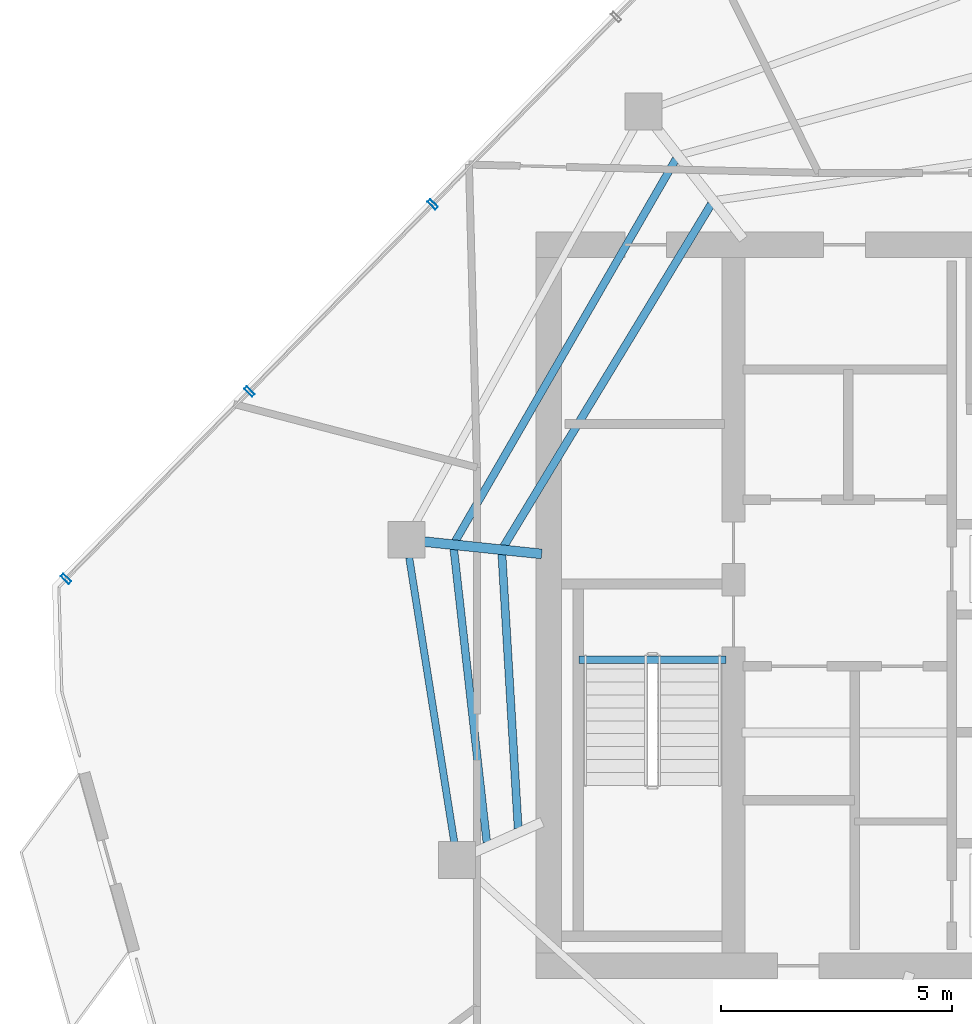
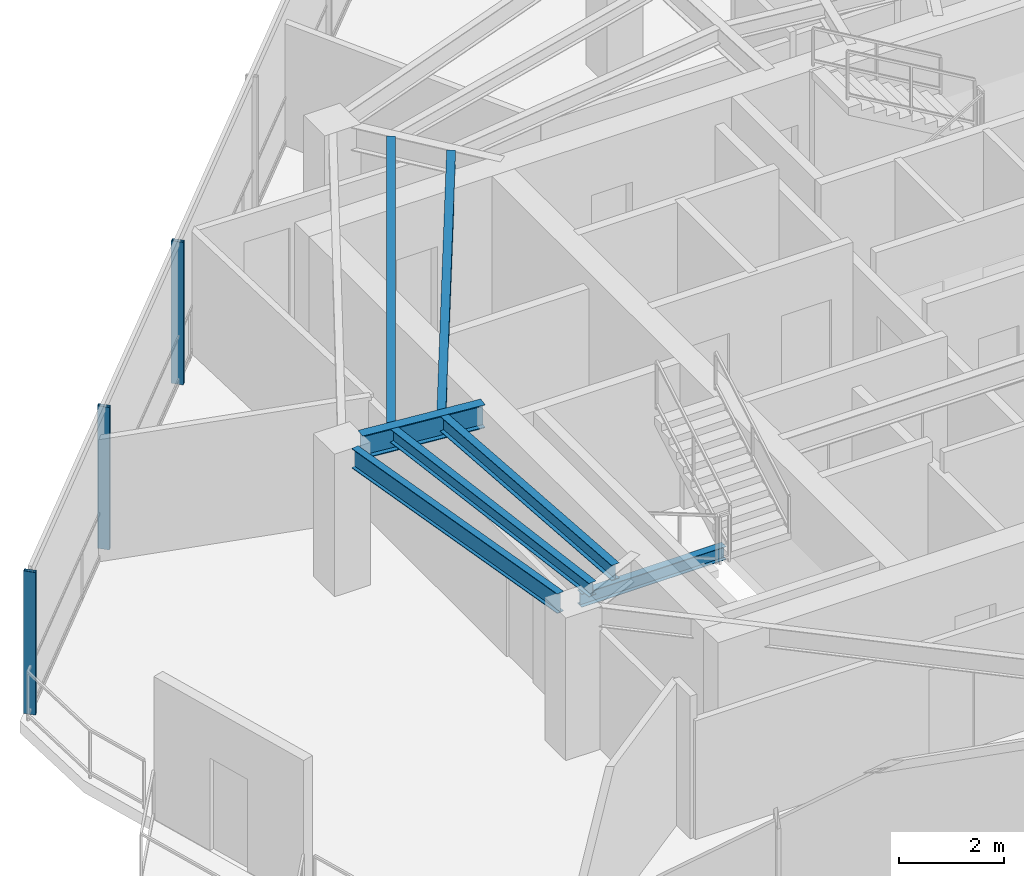
# One storey, part 6 of 18: 7 beams, 3 members, 1 element without a shape of its own.
"""IFC4 building model written with IfcOpenShell, lengths in metres."""

import ifcopenshell
import ifcopenshell.guid

model = None  # the IFC model being written
_history = None  # IfcOwnerHistory: only IFC2X3 demands one
_inside = {}  # id of a spatial element -> (the spatial element, [elements in it])
_under = {}  # id of a project, library or spatial element -> (it, [spatial elements below it])
_declared = {}  # id of a project -> (the project, [libraries it declares])
_typed = {}  # id of a type object -> (the type object, [elements of that type])
_made_of = {}  # id of a material, layer set ... -> (it, [elements and type objects made of it])


def new_model(schema):
    """Start an empty IFC model of exactly this schema.

    Asked for "IFC4X3", IfcOpenShell would pick the latest addendum, in which some entities
    have other attributes; the version numbers below select the first issue.
    IFC2X3 requires an IfcOwnerHistory on every rooted entity: one is made here for all.
    """
    global model, _history
    if schema == "IFC4X3":
        model = ifcopenshell.file(schema_version=(4, 3, 0, 0))
    else:
        model = ifcopenshell.file(schema=schema)
    _inside.clear()
    _under.clear()
    _declared.clear()
    _typed.clear()
    _made_of.clear()
    _history = None
    if model.schema == "IFC2X3":
        org = make("IfcOrganization", Name="unknown")
        user = make(
            "IfcPersonAndOrganization",
            ThePerson=make("IfcPerson", FamilyName="unknown"),
            TheOrganization=org,
        )
        app = make(
            "IfcApplication",
            ApplicationDeveloper=org,
            Version="unknown",
            ApplicationFullName="unknown",
            ApplicationIdentifier="unknown",
        )
        _history = make(
            "IfcOwnerHistory",
            OwningUser=user,
            OwningApplication=app,
            ChangeAction="ADDED",
            CreationDate=0,
        )
    return model


def make(cls, **values):
    """One entity of the class cls with the attributes given. An attribute that is None is left unset."""
    return model.create_entity(
        cls, **{name: value for name, value in values.items() if value is not None}
    )


def rooted(cls, **values):
    """An entity with a GlobalId (a new one), such as an element, a storey or a relation."""
    return make(cls, GlobalId=ifcopenshell.guid.new(), OwnerHistory=_history, **values)


def si_unit(unit_type, name, prefix=None):
    """IfcSIUnit, for example si_unit("LENGTHUNIT", "METRE", prefix="MILLI")."""
    return make("IfcSIUnit", UnitType=unit_type, Prefix=prefix, Name=name)


def assignment(units):
    """IfcUnitAssignment: the units of a project."""
    return None if units is None else make("IfcUnitAssignment", Units=units)


def point(xyz):
    """IfcCartesianPoint."""
    return None if xyz is None else make("IfcCartesianPoint", Coordinates=xyz)


def direction(xyz):
    """IfcDirection."""
    return None if xyz is None else make("IfcDirection", DirectionRatios=xyz)


def frame(location, z_axis=None, x_axis=None):
    """IfcAxis2Placement3D, a coordinate frame: its origin and axes. An axis left out is left unset."""
    return make(
        "IfcAxis2Placement3D",
        Location=point(location),
        Axis=direction(z_axis),
        RefDirection=direction(x_axis),
    )


def frame_2d(location, x_axis=None):
    """IfcAxis2Placement2D, a coordinate frame in the plane: its origin and x axis."""
    return make(
        "IfcAxis2Placement2D", Location=point(location), RefDirection=direction(x_axis)
    )


def origin():
    """The frame at (0, 0, 0) with its axes left unset."""
    return frame((0.0, 0.0, 0.0))


def origin_2d():
    """The frame at (0, 0) in the plane with its x axis left unset."""
    return frame_2d((0.0, 0.0))


def place(relative_to, where):
    """IfcLocalPlacement: puts the frame where relative to a parent placement (None: the world)."""
    return make(
        "IfcLocalPlacement", PlacementRelTo=relative_to, RelativePlacement=where
    )


def context(
    kind, dimensions, precision=None, world=None, true_north=None, identifier=None
):
    """IfcGeometricRepresentationContext, for example the 3D "Model" context."""
    return make(
        "IfcGeometricRepresentationContext",
        ContextIdentifier=identifier,
        ContextType=kind,
        CoordinateSpaceDimension=dimensions,
        Precision=precision,
        WorldCoordinateSystem=world,
        TrueNorth=true_north,
    )


def subcontext(parent, identifier, kind, view, scale=None):
    """IfcGeometricRepresentationSubContext, for example "Body" below "Model"."""
    return make(
        "IfcGeometricRepresentationSubContext",
        ContextIdentifier=identifier,
        ContextType=kind,
        ParentContext=parent,
        TargetScale=scale,
        TargetView=view,
    )


def project(units=None, contexts=None):
    """IfcProject with its units and contexts."""
    return rooted(
        "IfcProject",
        Name="project",
        RepresentationContexts=contexts,
        UnitsInContext=assignment(units),
    )


def spatial(cls, under=None, at=None, **own):
    """A site, building, storey or space (cls), placed at a placement, below another one or the project."""
    s = rooted(cls, ObjectPlacement=at, **own)
    if under is not None:
        _under.setdefault(under.id(), (under, []))[1].append(s)
    return s


def profile(cls, at=None, kind="AREA", **sizes):
    """A parametric profile (cls). Its sizes go by their IFC names, for example OverallWidth=200.0."""
    return make(cls, ProfileType=kind, Position=at, **sizes)


def hollow_rectangle(**sizes):
    """IfcRectangleHollowProfileDef."""
    return profile("IfcRectangleHollowProfileDef", **sizes)


def i_section(**sizes):
    """IfcIShapeProfileDef."""
    return profile("IfcIShapeProfileDef", **sizes)


def extrude(swept, where, along, depth):
    """IfcExtrudedAreaSolid: the profile swept, set in the frame where, extruded along a direction by depth."""
    return make(
        "IfcExtrudedAreaSolid",
        SweptArea=swept,
        Position=where,
        ExtrudedDirection=direction(along),
        Depth=depth,
    )


def shape(context_of_items, identifier, shape_type, items):
    """IfcShapeRepresentation: the items that make up one representation, for example the "Body"."""
    return make(
        "IfcShapeRepresentation",
        ContextOfItems=context_of_items,
        RepresentationIdentifier=identifier,
        RepresentationType=shape_type,
        Items=items,
    )


def material(Name=None, Category=None):
    """IfcMaterial."""
    return make("IfcMaterial", Name=Name, Category=Category)


def layer(
    of_material, thickness, ventilated=None, Name=None, Category=None, Priority=None
):
    """IfcMaterialLayer: one layer of a wall or slab, of a material (None: an air gap)."""
    return make(
        "IfcMaterialLayer",
        Material=of_material,
        LayerThickness=thickness,
        IsVentilated=ventilated,
        Name=Name,
        Category=Category,
        Priority=Priority,
    )


def layer_set(layers, Name=None):
    """IfcMaterialLayerSet."""
    return make("IfcMaterialLayerSet", MaterialLayers=layers, LayerSetName=Name)


def material_profile(
    of_material, cross_section, Name=None, Category=None, Priority=None
):
    """IfcMaterialProfile: a cross section and its material."""
    return make(
        "IfcMaterialProfile",
        Name=Name,
        Material=of_material,
        Profile=cross_section,
        Priority=Priority,
        Category=Category,
    )


def profile_set(profiles, Name=None, composite=None):
    """IfcMaterialProfileSet."""
    return make(
        "IfcMaterialProfileSet",
        Name=Name,
        MaterialProfiles=profiles,
        CompositeProfile=composite,
    )


def made_of(thing, what):
    """Note that an element or type object is made of a material, layer set ...; save() writes the relation."""
    if what is not None:
        _made_of.setdefault(what.id(), (what, []))[1].append(thing)
    return thing


def type_object(cls, material=None, **own):
    """A type object (cls), such as IfcWallType, which elements share."""
    return made_of(rooted(cls, **own), material)


def element(
    cls,
    number,
    at=None,
    inside=None,
    cuts=None,
    type_object=None,
    material=None,
    context=None,
    identifier="Body",
    shape_type=None,
    held_by="IfcProductDefinitionShape",
    body=None,
    shapes=None,
    **own,
):
    """One element of the class cls, such as IfcWall. Its Tag is "e" and its number.

    at: its placement. inside: the storey or other place that contains it. cuts: it is an
    opening in that element (IfcRelVoidsElement). A single representation is given by context,
    identifier, shape_type and body (its items); several are given by shapes. held_by: the class
    of the entity that holds the representations. save() writes the other relations.
    """
    e = rooted(cls, Tag="e%d" % number, ObjectPlacement=at, **own)
    if body is not None:
        shapes = [shape(context, identifier, shape_type, body)]
    if shapes is not None:
        e.Representation = make(held_by, Representations=shapes)
    if inside is not None:
        _inside.setdefault(inside.id(), (inside, []))[1].append(e)
    if cuts is not None:
        rooted(
            "IfcRelVoidsElement", RelatingBuildingElement=cuts, RelatedOpeningElement=e
        )
    if type_object is not None:
        _typed.setdefault(type_object.id(), (type_object, []))[1].append(e)
    return made_of(e, material)


def aggregate(whole, parts):
    """IfcRelAggregates: a whole, such as a stair, and the parts it consists of."""
    return rooted("IfcRelAggregates", RelatingObject=whole, RelatedObjects=parts)


def save(model, path):
    """Write the relations noted so far, then the file.

    IfcRelAggregates (storeys below a building ...), IfcRelContainedInSpatialStructure (elements
    in a storey), IfcRelDefinesByType, IfcRelAssociatesMaterial and IfcRelDeclares: one each for
    every whole, place, type object, material and project.
    """
    for whole, parts in _under.values():
        aggregate(whole, parts)
    for where, things in _inside.values():
        rooted(
            "IfcRelContainedInSpatialStructure",
            RelatedElements=things,
            RelatingStructure=where,
        )
    for kind, things in _typed.values():
        rooted("IfcRelDefinesByType", RelatedObjects=things, RelatingType=kind)
    for what, things in _made_of.values():
        rooted("IfcRelAssociatesMaterial", RelatedObjects=things, RelatingMaterial=what)
    for by, libraries in _declared.values():
        rooted("IfcRelDeclares", RelatingContext=by, RelatedDefinitions=libraries)
    model.write(path)


model = new_model("IFC4")

# Units and contexts
model_context = context("Model", 3, precision=1e-05, world=origin(), true_north=direction((0.0, 1.0)))
body_context = subcontext(model_context, "Body", "Model", "MODEL_VIEW")
ifc_project = project(units=[si_unit("LENGTHUNIT", "METRE"), si_unit("AREAUNIT", "SQUARE_METRE"), si_unit("VOLUMEUNIT", "CUBIC_METRE"), si_unit("PLANEANGLEUNIT", "RADIAN"), si_unit("MASSUNIT", "GRAM", prefix="KILO")], contexts=[model_context])

# Site, building, storey
site_placement = place(None, origin())
site = spatial("IfcSite", under=ifc_project, at=site_placement, CompositionType="ELEMENT")
building_placement = place(site_placement, origin())
building = spatial("IfcBuilding", under=site, at=building_placement, Name="Qarnah Convention Tower", CompositionType="ELEMENT")
storey_placement = place(building_placement, frame((0.0, 0.0, 239.10009765625)))
storey = spatial("IfcBuildingStorey", under=building, at=storey_placement, Name="L64", CompositionType="ELEMENT", Elevation=239.10009765625)

# Beams
ifc_material_1 = material(Name="Structural steel S355JR", Category="steel")
ifc_material_profile_1 = material_profile(ifc_material_1, i_section(OverallWidth=0.166015625, OverallDepth=0.31201171875, WebThickness=0.007080078125, FlangeThickness=0.010986328125, at=origin_2d()), Name="W310X45")
ifc_profile_set_1 = profile_set([ifc_material_profile_1], Name="Structural steel S355JR")
beam_type_1 = type_object("IfcBeamType", Name="BM-JST-W310", PredefinedType="JOIST", material=ifc_profile_set_1)
beam_1_placement = place(storey_placement, frame((27.4599609375, 25.217041015625, -0.156005859375), z_axis=(1.0, 0.0, 0.0), x_axis=(0.0, 1.0, 0.0)))
element("IfcBeam", 1, at=beam_1_placement, inside=storey, type_object=beam_type_1, Name="L64 stair landing trimmer beam BM-L64-ST1-TRM", PredefinedType="BEAM", context=body_context, shape_type="SweptSolid", body=[
    extrude(i_section(OverallWidth=0.166015625, OverallDepth=0.31201171875, WebThickness=0.007080078125, FlangeThickness=0.010986328125, at=origin_2d()), origin(), (0.0, 0.0, 1.0), 3.179931640625),
])
beam_2_placement = place(storey_placement, frame((29.554931640625, 36.050048828125, 3.163818359375), z_axis=(-0.500030323517, -0.866007895786, 0.0), x_axis=(0.866007895786, -0.500030323517, 0.0)))
element("IfcBeam", 2, at=beam_2_placement, inside=storey, type_object=beam_type_1, Name="L64 joist BM-L64-SJST-04", PredefinedType="JOIST", context=body_context, shape_type="SweptSolid", body=[
    extrude(i_section(OverallWidth=0.166015625, OverallDepth=0.31201171875, WebThickness=0.007080078125, FlangeThickness=0.010986328125, at=origin_2d()), origin(), (0.0, 0.0, 1.0), 9.54150390625),
])
beam_3_placement = place(storey_placement, frame((24.7490234375, 27.6201171875, 3.163818359375), z_axis=(0.111886248567, -0.993721020902, 0.0), x_axis=(0.993721020902, 0.111886248567, 0.0)))
element("IfcBeam", 3, at=beam_3_placement, inside=storey, type_object=beam_type_1, Name="L64 joist BM-L64-SJST-05", PredefinedType="JOIST", context=body_context, shape_type="SweptSolid", body=[
    extrude(i_section(OverallWidth=0.166015625, OverallDepth=0.31201171875, WebThickness=0.007080078125, FlangeThickness=0.010986328125, at=origin_2d()), origin(), (0.0, 0.0, 1.0), 6.39111328125),
])
ifc_material_profile_2 = material_profile(ifc_material_1, i_section(OverallWidth=0.172119140625, OverallDepth=0.35595703125, WebThickness=0.007080078125, FlangeThickness=0.011962890625, at=origin_2d()), Name="W360X51")
ifc_profile_set_2 = profile_set([ifc_material_profile_2], Name="Structural steel S355JR")
beam_type_2 = type_object("IfcBeamType", Name="BM-JST-W360", PredefinedType="JOIST", material=ifc_profile_set_2)
beam_4_placement = place(storey_placement, frame((30.31689453125, 35.072998046875, 3.141845703125), z_axis=(-0.518508134219, -0.855072695593, 0.0), x_axis=(0.855072695593, -0.518508134219, 0.0)))
element("IfcBeam", 4, at=beam_4_placement, inside=storey, type_object=beam_type_2, Name="L64 joist BM-L64-IJST-04", PredefinedType="JOIST", context=body_context, shape_type="SweptSolid", body=[
    extrude(i_section(OverallWidth=0.172119140625, OverallDepth=0.35595703125, WebThickness=0.007080078125, FlangeThickness=0.011962890625, at=origin_2d()), origin(), (0.0, 0.0, 1.0), 8.649658203125),
])
beam_5_placement = place(storey_placement, frame((25.7900390625, 27.510009765625, 3.141845703125), z_axis=(0.059154877701, -0.998248816901, 0.0), x_axis=(0.998248816901, 0.059154877701, 0.0)))
element("IfcBeam", 5, at=beam_5_placement, inside=storey, type_object=beam_type_2, Name="L64 joist BM-L64-IJST-05", PredefinedType="JOIST", context=body_context, shape_type="SweptSolid", body=[
    extrude(i_section(OverallWidth=0.172119140625, OverallDepth=0.35595703125, WebThickness=0.007080078125, FlangeThickness=0.011962890625, at=origin_2d()), origin(), (0.0, 0.0, 1.0), 5.951416015625),
])
ifc_material_profile_3 = material_profile(ifc_material_1, i_section(OverallWidth=0.2119140625, OverallDepth=0.5400390625, WebThickness=0.011962890625, FlangeThickness=0.01904296875, at=origin_2d()), Name="W530X109")
ifc_profile_set_3 = profile_set([ifc_material_profile_3], Name="Structural steel S355JR")
beam_type_3 = type_object("IfcBeamType", Name="BM-RAD-W530A", PredefinedType="BEAM", material=ifc_profile_set_3)
beam_6_placement = place(storey_placement, frame((26.65087890625, 27.509033203125, 3.0498046875), z_axis=(-0.994564280912, 0.104124402207, 0.0), x_axis=(-0.104124402207, -0.994564280912, 0.0)))
element("IfcBeam", 6, at=beam_6_placement, inside=storey, type_object=beam_type_3, Name="L64 beam BM-L64-RAD-05", PredefinedType="BEAM", context=body_context, shape_type="SweptSolid", body=[
    extrude(i_section(OverallWidth=0.2119140625, OverallDepth=0.5400390625, WebThickness=0.011962890625, FlangeThickness=0.01904296875, at=origin_2d()), origin(), (0.0, 0.0, 1.0), 2.562744140625),
])
ifc_material_profile_4 = material_profile(ifc_material_1, i_section(OverallWidth=0.154052734375, OverallDepth=0.4599609375, WebThickness=0.009033203125, FlangeThickness=0.014892578125, at=origin_2d()), Name="W460X68")
ifc_profile_set_4 = profile_set([ifc_material_profile_4], Name="Structural steel S355JR")
beam_type_4 = type_object("IfcBeamType", Name="BM-SPN-W460B", PredefinedType="SPANDREL", material=ifc_profile_set_4)
beam_7_placement = place(storey_placement, frame((23.784912109375, 27.430908203125, 3.08984375), z_axis=(0.156423110156, -0.987690138965, 0.0), x_axis=(0.987690138965, 0.156423110156, 0.0)))
element("IfcBeam", 7, at=beam_7_placement, inside=storey, type_object=beam_type_4, Name="L64 spandrel BM-L64-SPN-05", PredefinedType="SPANDREL", context=body_context, shape_type="SweptSolid", body=[
    extrude(i_section(OverallWidth=0.154052734375, OverallDepth=0.4599609375, WebThickness=0.009033203125, FlangeThickness=0.014892578125, at=origin_2d()), origin(), (0.0, 0.0, 1.0), 6.233642578125),
])

# Curtain wall, members
ifc_material_2 = material(Name="Tempered Low-E dark glass", Category="glass")
ifc_layer = layer(ifc_material_2, 0.176025390625)
ifc_layer_set = layer_set([ifc_layer], Name="Tempered Low-E dark glass")
curtain_wall_type = type_object("IfcCurtainWallType", Name="CWS-05", PredefinedType="NOTDEFINED", material=ifc_layer_set)
curtain_wall_placement = place(storey_placement, origin())
curtain_wall = element("IfcCurtainWall", 8, at=curtain_wall_placement, inside=storey, type_object=curtain_wall_type, Name="L64 unitised curtain wall CW-L64-F1", PredefinedType="NOTDEFINED")
ifc_material_3 = material(Name="Black anodised aluminium", Category="aluminium")
ifc_material_profile_5 = material_profile(ifc_material_3, hollow_rectangle(XDim=0.080078125, YDim=0.239990234375, WallThickness=0.0048828125, at=origin_2d()), Name="MUL-80X240")
ifc_profile_set_5 = profile_set([ifc_material_profile_5], Name="Black anodised aluminium")
member_type = type_object("IfcMemberType", Name="MUL-T5", PredefinedType="MULLION", material=ifc_profile_set_5)
member_1_placement = place(storey_placement, frame((16.362060546875, 26.970947265625, 0.0), z_axis=(0.0, 0.0, 1.0), x_axis=(0.699640931758, 0.714494623219, 0.0)))
member_1 = element("IfcMember", 9, at=member_1_placement, type_object=member_type, Name="CW-L64-F1 mullion 1", PredefinedType="MULLION", context=body_context, shape_type="SweptSolid", body=[
    extrude(hollow_rectangle(XDim=0.080078125, YDim=0.239990234375, WallThickness=0.0048828125, at=origin_2d()), origin(), (0.0, 0.0, 1.0), 3.31982421875),
])
member_2_placement = place(storey_placement, frame((20.327880859375, 31.021240234375, 0.0), z_axis=(0.0, 0.0, 1.0), x_axis=(0.699640931758, 0.714494623219, 0.0)))
member_2 = element("IfcMember", 10, at=member_2_placement, type_object=member_type, Name="CW-L64-F1 mullion 2", PredefinedType="MULLION", context=body_context, shape_type="SweptSolid", body=[
    extrude(hollow_rectangle(XDim=0.080078125, YDim=0.239990234375, WallThickness=0.0048828125, at=origin_2d()), origin(), (0.0, 0.0, 1.0), 3.31982421875),
])
member_3_placement = place(storey_placement, frame((24.2939453125, 35.0712890625, 0.0), z_axis=(0.0, 0.0, 1.0), x_axis=(0.699640931758, 0.714494623219, 0.0)))
member_3 = element("IfcMember", 11, at=member_3_placement, type_object=member_type, Name="CW-L64-F1 mullion 3", PredefinedType="MULLION", context=body_context, shape_type="SweptSolid", body=[
    extrude(hollow_rectangle(XDim=0.080078125, YDim=0.239990234375, WallThickness=0.0048828125, at=origin_2d()), origin(), (0.0, 0.0, 1.0), 3.31982421875),
])
aggregate(curtain_wall, [member_1, member_2, member_3])

save(model, "model.ifc")
